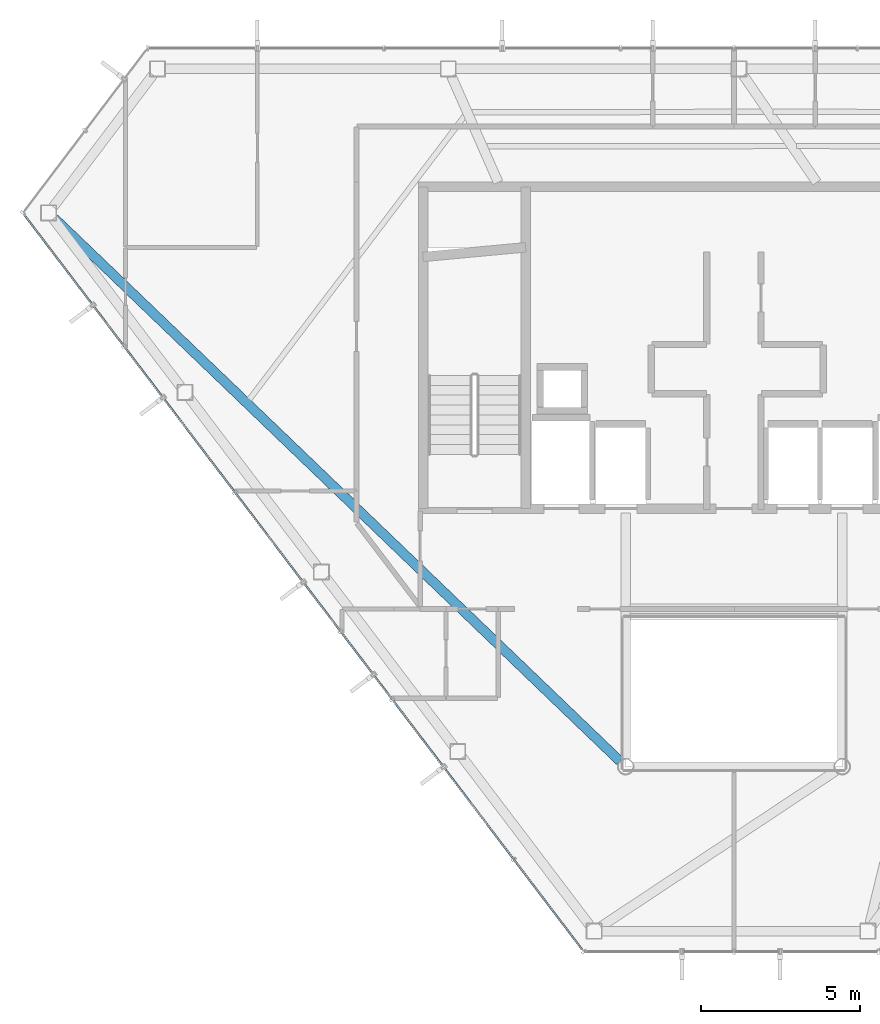
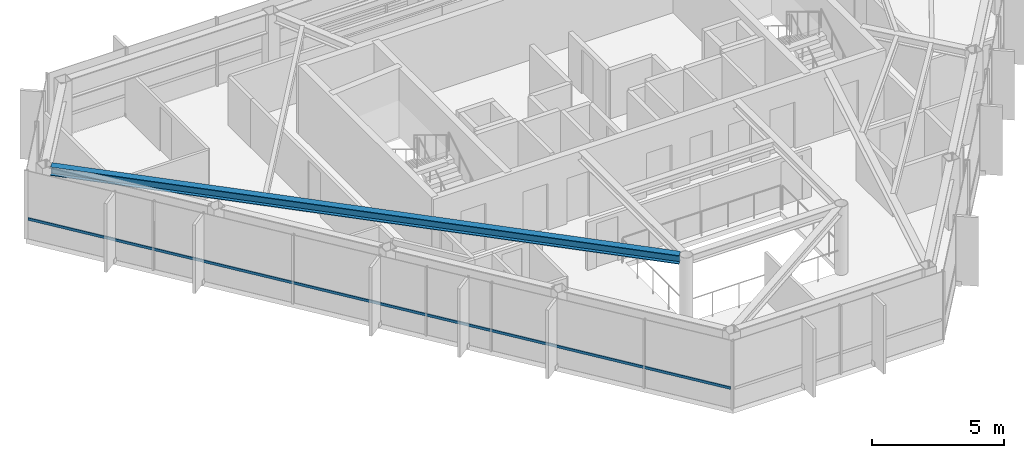
# One storey, part 4 of 24: 1 beam, 1 member, 1 element without a shape of its own.
"""IFC4 building model written with IfcOpenShell, lengths in metres."""

from ifc_helpers import new_model, si_unit, direction, frame, origin, origin_2d, place, context, subcontext, project, spatial, hollow_rectangle, i_section, extrude, material, layer, layer_set, material_profile, profile_set, type_object, element, aggregate, save


model = new_model("IFC4")

# Units and contexts
model_context = context("Model", 3, precision=1e-05, world=origin(), true_north=direction((0.0, 1.0)))
body_context = subcontext(model_context, "Body", "Model", "MODEL_VIEW")
ifc_project = project(units=[si_unit("LENGTHUNIT", "METRE"), si_unit("AREAUNIT", "SQUARE_METRE"), si_unit("VOLUMEUNIT", "CUBIC_METRE"), si_unit("PLANEANGLEUNIT", "RADIAN"), si_unit("MASSUNIT", "GRAM", prefix="KILO")], contexts=[model_context])

# Site, building, storey
site_placement = place(None, origin())
site = spatial("IfcSite", under=ifc_project, at=site_placement, CompositionType="ELEMENT")
building_placement = place(site_placement, origin())
building = spatial("IfcBuilding", under=site, at=building_placement, Name="Zarrinselat Tower", CompositionType="ELEMENT")
storey_placement = place(building_placement, frame((0.0, 0.0, 272.0)))
storey = spatial("IfcBuildingStorey", under=building, at=storey_placement, Name="L69", CompositionType="ELEMENT", Elevation=272.0)

# Beam
ifc_material_1 = material(Name="Steel S355J2", Category="steel")
ifc_material_profile_1 = material_profile(ifc_material_1, i_section(OverallWidth=0.300048828125, OverallDepth=0.39990234375, WebThickness=0.013427734375, FlangeThickness=0.02392578125, at=origin_2d()), Name="HEB 400")
ifc_profile_set_1 = profile_set([ifc_material_profile_1], Name="Steel S355J2")
beam_type = type_object("IfcBeamType", Name="BM-HEB400", PredefinedType="BEAM", material=ifc_profile_set_1)
beam_placement = place(storey_placement, frame((17.072509765625, 42.40771484375, 2.97998046875), z_axis=(0.72143848732, -0.692478526031, 0.0), x_axis=(0.692478526031, 0.72143848732, 0.0)))
element("IfcBeam", 1, at=beam_placement, inside=storey, type_object=beam_type, Name="L69 Radial Primary Girder RG06", PredefinedType="BEAM", context=body_context, shape_type="SweptSolid", body=[
    extrude(i_section(OverallWidth=0.300048828125, OverallDepth=0.39990234375, WebThickness=0.013427734375, FlangeThickness=0.02392578125, at=origin_2d()), origin(), (0.0, 0.0, 1.0), 24.599609375),
])

# Curtain wall, member
ifc_material_2 = material(Name="Extruded Aluminium Alloy EN AW-6063 T6", Category="aluminium")
ifc_layer = layer(ifc_material_2, 0.169921875)
ifc_layer_set = layer_set([ifc_layer], Name="Extruded Aluminium Alloy EN AW-6063 T6")
curtain_wall_type = type_object("IfcCurtainWallType", Name="CWS-RES", PredefinedType="NOTDEFINED", material=ifc_layer_set)
curtain_wall_placement = place(storey_placement, origin())
curtain_wall = element("IfcCurtainWall", 2, at=curtain_wall_placement, inside=storey, type_object=curtain_wall_type, Name="L69 Unitised Curtain Wall CW-L69-E03", PredefinedType="NOTDEFINED")
ifc_material_3 = material(Name="Extruded Aluminium Alloy EN AW-6063 T6", Category="aluminium")
ifc_material_profile_2 = material_profile(ifc_material_3, hollow_rectangle(XDim=0.06005859375, YDim=0.1201171875, WallThickness=0.00390625, at=origin_2d()), Name="RHS 120x60x4")
ifc_profile_set_2 = profile_set([ifc_material_profile_2], Name="Extruded Aluminium Alloy EN AW-6063 T6")
member_type = type_object("IfcMemberType", Name="MEM-CW-TRN2", PredefinedType="USERDEFINED", material=ifc_profile_set_2)
member_placement = place(storey_placement, frame((16.12939453125, 42.509765625, 0.949951171875), z_axis=(0.604789793704, -0.796385148927, 0.0), x_axis=(0.796385148927, 0.604789793704, 0.0)))
member = element("IfcMember", 3, at=member_placement, type_object=member_type, Name="CW-L69-E03 Transom 1", ObjectType="TRANSOM", PredefinedType="USERDEFINED", context=body_context, shape_type="SweptSolid", body=[
    extrude(hollow_rectangle(XDim=0.06005859375, YDim=0.1201171875, WallThickness=0.00390625, at=origin_2d()), origin(), (0.0, 0.0, 1.0), 28.943359375),
])
aggregate(curtain_wall, [member])

save(model, "model.ifc")
